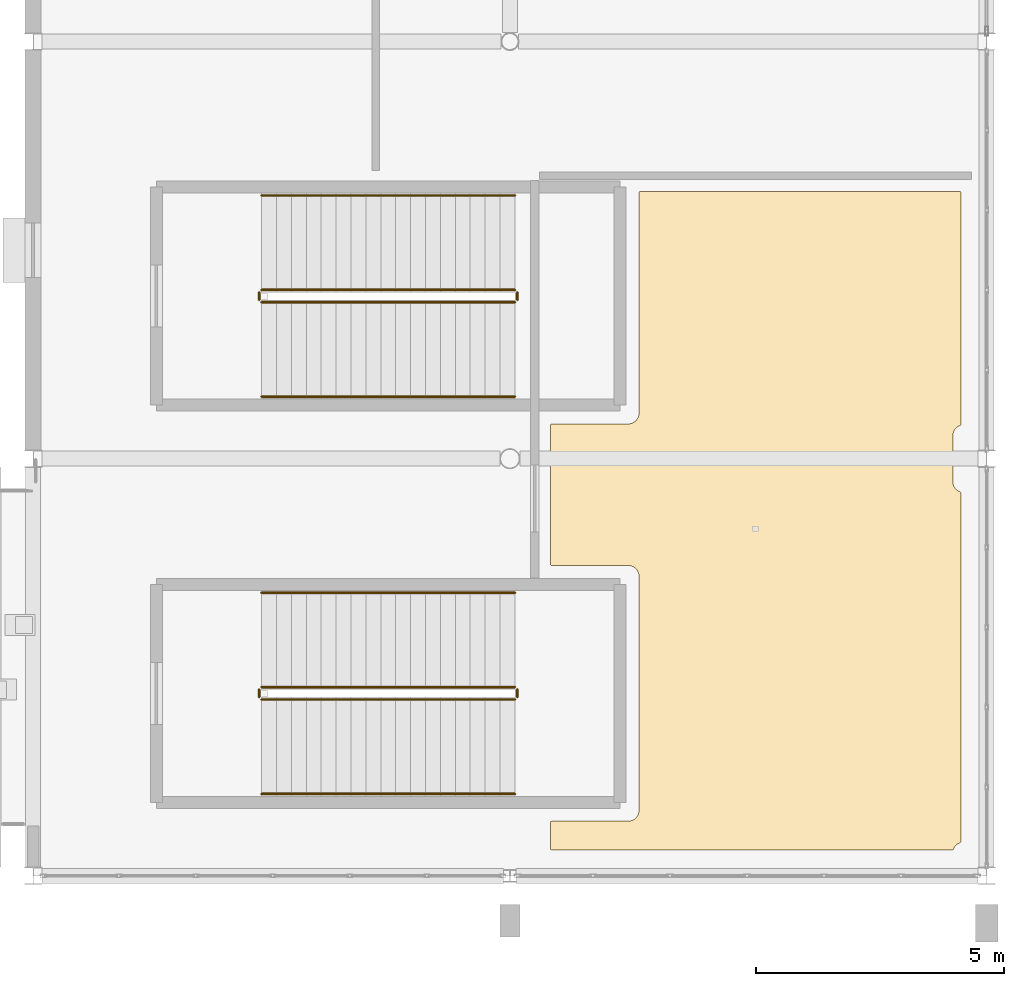
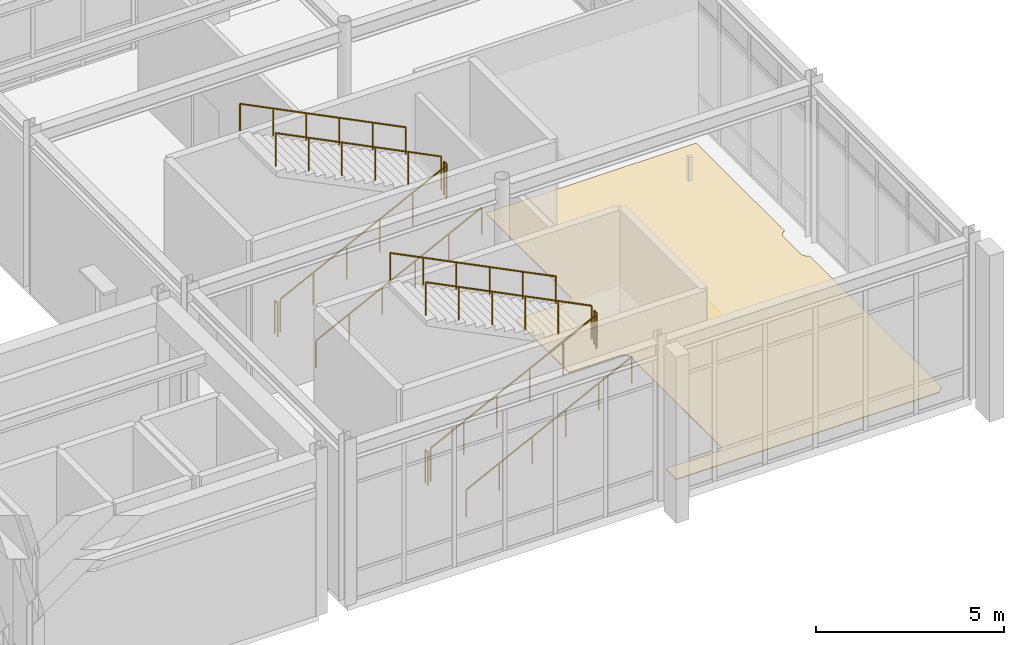
# One storey, part 75 of 80: 12 railings, 1 covering.
"""IFC4 building model written with IfcOpenShell, lengths in metres."""

from ifc_helpers import new_model, si_unit, direction, frame, origin, origin_2d, place, context, subcontext, project, spatial, polyline, circle, outline, extrude, material, layer, layer_set, type_object, element, save


model = new_model("IFC4")

# Units and contexts
model_context = context("Model", 3, precision=1e-05, world=origin(), true_north=direction((0.0, 1.0)))
body_context = subcontext(model_context, "Body", "Model", "MODEL_VIEW")
ifc_project = project(units=[si_unit("LENGTHUNIT", "METRE"), si_unit("AREAUNIT", "SQUARE_METRE"), si_unit("VOLUMEUNIT", "CUBIC_METRE"), si_unit("PLANEANGLEUNIT", "RADIAN"), si_unit("MASSUNIT", "GRAM", prefix="KILO")], contexts=[model_context])

# Site, building, storey
site_placement = place(None, origin())
site = spatial("IfcSite", under=ifc_project, at=site_placement, CompositionType="ELEMENT")
building_placement = place(site_placement, origin())
building = spatial("IfcBuilding", under=site, at=building_placement, Name="Canglan Escarpment Cableway Terminal", CompositionType="ELEMENT")
storey_placement = place(building_placement, frame((0.0, 0.0, 19.199951171875)))
storey = spatial("IfcBuildingStorey", under=building, at=storey_placement, Name="L04", CompositionType="ELEMENT", Elevation=19.199951171875)

# Covering
ifc_material_1 = material(Name="Polished mineral terrazzo flooring", Category="concrete")
ifc_layer = layer(ifc_material_1, 0.02001953125, Name="Polished mineral terrazzo flooring")
ifc_layer_set = layer_set([ifc_layer], Name="Polished mineral terrazzo flooring")
covering_type = type_object("IfcCoveringType", Name="COV-FLR-TERRAZZO-20", PredefinedType="FLOORING", material=ifc_layer_set)
covering_placement = place(storey_placement, origin())
element("IfcCovering", 1, at=covering_placement, inside=storey, type_object=covering_type, Name="Commercial Kitchen stone floor finish", PredefinedType="FLOORING", context=body_context, shape_type="SweptSolid", body=[
    extrude(outline(polyline([(165.73291015625, 8.533203125), (165.732177734375, 8.531494140625), (165.731201171875, 8.529541015625), (165.72998046875, 8.52783203125), (165.728515625, 8.5263671875), (165.72705078125, 8.52490234375), (165.7255859375, 8.523681640625), (165.723876953125, 8.522705078125), (165.721923828125, 8.521728515625), (165.719970703125, 8.52099609375), (165.718017578125, 8.5205078125), (165.716064453125, 8.52001953125), (165.714111328125, 8.52001953125), (157.639892578125, 8.52001953125), (157.637939453125, 8.52001953125), (157.635986328125, 8.5205078125), (157.63427734375, 8.52099609375), (157.63232421875, 8.521484375), (157.630615234375, 8.5224609375), (157.62890625, 8.5234375), (157.627197265625, 8.5244140625), (157.6259765625, 8.52587890625), (157.62451171875, 8.52734375), (157.623291015625, 8.52880859375), (157.622314453125, 8.530517578125), (157.62158203125, 8.5322265625), (157.620849609375, 8.5341796875), (157.620361328125, 8.5361328125), (157.6201171875, 8.5380859375), (157.6201171875, 8.5400390625), (157.6201171875, 9.080078125), (157.6201171875, 9.08203125), (157.620361328125, 9.083984375), (157.620849609375, 9.085693359375), (157.62158203125, 9.087646484375), (157.622314453125, 9.08935546875), (157.623291015625, 9.091064453125), (157.62451171875, 9.0927734375), (157.6259765625, 9.093994140625), (157.627197265625, 9.095458984375), (157.62890625, 9.0966796875), (157.630615234375, 9.09765625), (157.63232421875, 9.098388671875), (157.63427734375, 9.09912109375), (157.635986328125, 9.099609375), (157.637939453125, 9.099853515625), (157.639892578125, 9.10009765625), (159.1796875, 9.10009765625), (159.18017578125, 9.10009765625), (159.201171875, 9.10107421875), (159.201904296875, 9.10107421875), (159.222412109375, 9.104248046875), (159.223388671875, 9.104248046875), (159.243408203125, 9.109375), (159.244384765625, 9.109619140625), (159.263671875, 9.11669921875), (159.2646484375, 9.116943359375), (159.283203125, 9.125732421875), (159.2841796875, 9.126220703125), (159.3017578125, 9.13671875), (159.302490234375, 9.137451171875), (159.319091796875, 9.149658203125), (159.31982421875, 9.150390625), (159.335205078125, 9.1640625), (159.3359375, 9.164794921875), (159.349609375, 9.18017578125), (159.350341796875, 9.180908203125), (159.362548828125, 9.197509765625), (159.36328125, 9.1982421875), (159.373779296875, 9.2158203125), (159.374267578125, 9.216796875), (159.383056640625, 9.2353515625), (159.38330078125, 9.236328125), (159.390380859375, 9.255615234375), (159.390625, 9.256591796875), (159.395751953125, 9.276611328125), (159.395751953125, 9.277587890625), (159.39892578125, 9.298095703125), (159.39892578125, 9.298828125), (159.39990234375, 9.31982421875), (159.39990234375, 9.3203125), (159.39990234375, 14.02978515625), (159.39990234375, 14.0302734375), (159.39892578125, 14.051025390625), (159.39892578125, 14.052001953125), (159.395751953125, 14.072509765625), (159.395751953125, 14.073486328125), (159.390625, 14.093505859375), (159.390380859375, 14.09423828125), (159.38330078125, 14.11376953125), (159.383056640625, 14.114501953125), (159.374267578125, 14.13330078125), (159.373779296875, 14.134033203125), (159.36328125, 14.15185546875), (159.362548828125, 14.152587890625), (159.350341796875, 14.169189453125), (159.349609375, 14.169921875), (159.3359375, 14.185302734375), (159.335205078125, 14.185791015625), (159.31982421875, 14.19970703125), (159.319091796875, 14.200439453125), (159.302490234375, 14.212646484375), (159.3017578125, 14.213134765625), (159.2841796875, 14.223876953125), (159.283203125, 14.22412109375), (159.2646484375, 14.23291015625), (159.263671875, 14.2333984375), (159.244384765625, 14.240478515625), (159.243408203125, 14.240478515625), (159.223388671875, 14.24560546875), (159.222412109375, 14.245849609375), (159.201904296875, 14.248779296875), (159.201171875, 14.2490234375), (159.18017578125, 14.25), (159.1796875, 14.25), (157.639892578125, 14.25), (157.637939453125, 14.25), (157.635986328125, 14.25048828125), (157.63427734375, 14.2509765625), (157.63232421875, 14.25146484375), (157.630615234375, 14.25244140625), (157.62890625, 14.25341796875), (157.627197265625, 14.25439453125), (157.6259765625, 14.255859375), (157.62451171875, 14.25732421875), (157.623291015625, 14.2587890625), (157.622314453125, 14.260498046875), (157.62158203125, 14.26220703125), (157.620849609375, 14.26416015625), (157.620361328125, 14.26611328125), (157.6201171875, 14.26806640625), (157.6201171875, 14.27001953125), (157.6201171875, 17.080078125), (157.6201171875, 17.08203125), (157.620361328125, 17.083984375), (157.620849609375, 17.085693359375), (157.62158203125, 17.087646484375), (157.622314453125, 17.08935546875), (157.623291015625, 17.091064453125), (157.62451171875, 17.0927734375), (157.6259765625, 17.093994140625), (157.627197265625, 17.095458984375), (157.62890625, 17.0966796875), (157.630615234375, 17.09765625), (157.63232421875, 17.098388671875), (157.63427734375, 17.09912109375), (157.635986328125, 17.099609375), (157.637939453125, 17.099853515625), (157.639892578125, 17.10009765625), (159.1796875, 17.10009765625), (159.18017578125, 17.10009765625), (159.201171875, 17.10107421875), (159.201904296875, 17.10107421875), (159.222412109375, 17.104248046875), (159.223388671875, 17.104248046875), (159.243408203125, 17.109375), (159.244384765625, 17.109619140625), (159.263671875, 17.11669921875), (159.2646484375, 17.116943359375), (159.283203125, 17.125732421875), (159.2841796875, 17.126220703125), (159.3017578125, 17.13671875), (159.302490234375, 17.137451171875), (159.319091796875, 17.149658203125), (159.31982421875, 17.150390625), (159.335205078125, 17.1640625), (159.3359375, 17.164794921875), (159.349609375, 17.18017578125), (159.350341796875, 17.180908203125), (159.362548828125, 17.197509765625), (159.36328125, 17.1982421875), (159.373779296875, 17.2158203125), (159.374267578125, 17.216796875), (159.383056640625, 17.2353515625), (159.38330078125, 17.236328125), (159.390380859375, 17.255615234375), (159.390625, 17.256591796875), (159.395751953125, 17.276611328125), (159.395751953125, 17.277587890625), (159.39892578125, 17.298095703125), (159.39892578125, 17.298828125), (159.39990234375, 17.31982421875), (159.39990234375, 17.3203125), (159.39990234375, 21.760009765625), (159.400146484375, 21.761962890625), (159.400390625, 21.763916015625), (159.40087890625, 21.765869140625), (159.401611328125, 21.767578125), (159.40234375, 21.769287109375), (159.4033203125, 21.77099609375), (159.404541015625, 21.772705078125), (159.406005859375, 21.774169921875), (159.4072265625, 21.775390625), (159.408935546875, 21.776611328125), (159.41064453125, 21.777587890625), (159.412353515625, 21.778564453125), (159.414306640625, 21.779052734375), (159.416015625, 21.779541015625), (159.41796875, 21.77978515625), (159.419921875, 21.780029296875), (165.860107421875, 21.780029296875), (165.862060546875, 21.77978515625), (165.864013671875, 21.779541015625), (165.86572265625, 21.779052734375), (165.86767578125, 21.778564453125), (165.869384765625, 21.777587890625), (165.87109375, 21.776611328125), (165.872802734375, 21.775390625), (165.8740234375, 21.774169921875), (165.87548828125, 21.772705078125), (165.876708984375, 21.77099609375), (165.877685546875, 21.769287109375), (165.87841796875, 21.767578125), (165.879150390625, 21.765869140625), (165.879638671875, 21.763916015625), (165.8798828125, 21.761962890625), (165.8798828125, 21.760009765625), (165.8798828125, 17.0859375), (165.8798828125, 17.083984375), (165.879638671875, 17.082275390625), (165.879150390625, 17.080322265625), (165.878662109375, 17.07861328125), (165.877685546875, 17.076904296875), (165.876953125, 17.0751953125), (165.875732421875, 17.07373046875), (165.87451171875, 17.072265625), (165.873291015625, 17.071044921875), (165.87158203125, 17.06982421875), (165.8701171875, 17.06884765625), (165.868408203125, 17.06787109375), (165.86669921875, 17.067138671875), (165.856201171875, 17.0634765625), (165.85546875, 17.06298828125), (165.836669921875, 17.05419921875), (165.8359375, 17.0537109375), (165.818115234375, 17.043212890625), (165.8173828125, 17.04248046875), (165.80078125, 17.030517578125), (165.800048828125, 17.02978515625), (165.784912109375, 17.015869140625), (165.7841796875, 17.01513671875), (165.770263671875, 17.0), (165.76953125, 16.999267578125), (165.75732421875, 16.982666015625), (165.7568359375, 16.981689453125), (165.74609375, 16.964111328125), (165.745849609375, 16.96337890625), (165.737060546875, 16.944580078125), (165.736572265625, 16.943603515625), (165.7294921875, 16.92431640625), (165.7294921875, 16.92333984375), (165.724365234375, 16.9033203125), (165.72412109375, 16.90234375), (165.72119140625, 16.882080078125), (165.720947265625, 16.881103515625), (165.719970703125, 16.860107421875), (165.719970703125, 16.85986328125), (165.719970703125, 15.940185546875), (165.719970703125, 15.939697265625), (165.720947265625, 15.9189453125), (165.72119140625, 15.91796875), (165.72412109375, 15.897705078125), (165.724365234375, 15.896484375), (165.7294921875, 15.876708984375), (165.7294921875, 15.875732421875), (165.736572265625, 15.856201171875), (165.737060546875, 15.85546875), (165.745849609375, 15.836669921875), (165.74609375, 15.8359375), (165.7568359375, 15.818115234375), (165.75732421875, 15.8173828125), (165.76953125, 15.80078125), (165.770263671875, 15.800048828125), (165.7841796875, 15.784912109375), (165.784912109375, 15.7841796875), (165.800048828125, 15.770263671875), (165.80078125, 15.76953125), (165.8173828125, 15.75732421875), (165.818115234375, 15.7568359375), (165.8359375, 15.74609375), (165.836669921875, 15.745849609375), (165.85546875, 15.737060546875), (165.856201171875, 15.736572265625), (165.86669921875, 15.73291015625), (165.868408203125, 15.732177734375), (165.8701171875, 15.731201171875), (165.87158203125, 15.730224609375), (165.873291015625, 15.72900390625), (165.87451171875, 15.727783203125), (165.875732421875, 15.726318359375), (165.876953125, 15.724609375), (165.877685546875, 15.72314453125), (165.878662109375, 15.721435546875), (165.879150390625, 15.719482421875), (165.879638671875, 15.7177734375), (165.8798828125, 15.7158203125), (165.8798828125, 15.714111328125), (165.8798828125, 8.68603515625), (165.8798828125, 8.68408203125), (165.879638671875, 8.68212890625), (165.879150390625, 8.680419921875), (165.878662109375, 8.6787109375), (165.877685546875, 8.677001953125), (165.876953125, 8.67529296875), (165.875732421875, 8.673583984375), (165.87451171875, 8.67236328125), (165.873291015625, 8.6708984375), (165.87158203125, 8.669921875), (165.8701171875, 8.668701171875), (165.868408203125, 8.66796875), (165.86669921875, 8.667236328125), (165.856201171875, 8.663330078125), (165.85546875, 8.6630859375), (165.836669921875, 8.654296875), (165.8359375, 8.65380859375), (165.818115234375, 8.643310546875), (165.8173828125, 8.642578125), (165.80078125, 8.63037109375), (165.800048828125, 8.629638671875), (165.784912109375, 8.615966796875), (165.7841796875, 8.615234375), (165.770263671875, 8.599853515625), (165.76953125, 8.59912109375), (165.75732421875, 8.58251953125), (165.7568359375, 8.581787109375), (165.74609375, 8.564208984375), (165.745849609375, 8.563232421875), (165.737060546875, 8.544677734375), (165.736572265625, 8.543701171875), (165.73291015625, 8.533203125)])), origin(), (0.0, 0.0, 1.0), 0.02001953125),
])

# Railings
ifc_material_2 = material(Name="Powder-coated steel stair balustrade", Category="steel")
railing_type_1 = type_object("IfcRailingType", Name="RL-STR-GUARD-1100", PredefinedType="BALUSTRADE", material=ifc_material_2)
railing_1_placement = place(storey_placement, frame((151.800048828125, 11.550048828125, 0.150146484375)))
element("IfcRailing", 2, at=railing_1_placement, inside=storey, type_object=railing_type_1, Name="L04 ST-08 stair guard 1", PredefinedType="BALUSTRADE", context=body_context, shape_type="SweptSolid", body=[
    extrude(circle(Radius=0.02392578125, at=origin_2d()), frame((0.0, 0.0, 1.076171875), z_axis=(0.894435754537, 0.0, 0.447196468016), x_axis=(0.0, 1.0, 0.0)), (0.0, 0.0, 1.0), 5.70166015625),
    extrude(circle(Radius=0.02099609375, at=origin_2d()), origin(), (0.0, 0.0, 1.0), 1.052001953125),
    extrude(circle(Radius=0.02099609375, at=origin_2d()), frame((1.02001953125, 0.0, 0.510009765625)), (0.0, 0.0, 1.0), 1.052001953125),
    extrude(circle(Radius=0.02099609375, at=origin_2d()), frame((2.0400390625, 0.0, 1.02001953125)), (0.0, 0.0, 1.0), 1.052001953125),
    extrude(circle(Radius=0.02099609375, at=origin_2d()), frame((3.059814453125, 0.0, 1.52978515625)), (0.0, 0.0, 1.0), 1.052001953125),
    extrude(circle(Radius=0.02099609375, at=origin_2d()), frame((4.079833984375, 0.0, 2.039794921875)), (0.0, 0.0, 1.0), 1.052001953125),
    extrude(circle(Radius=0.02099609375, at=origin_2d()), frame((5.099853515625, 0.0, 2.5498046875)), (0.0, 0.0, 1.0), 1.052001953125),
])
railing_2_placement = place(storey_placement, frame((156.949951171875, 11.60009765625, 2.699951171875)))
element("IfcRailing", 3, at=railing_2_placement, inside=storey, type_object=railing_type_1, Name="L04 ST-08 stair guard 2", PredefinedType="BALUSTRADE", context=body_context, shape_type="SweptSolid", body=[
    extrude(circle(Radius=0.02392578125, at=origin_2d()), frame((0.0, 0.0, 1.076171875), z_axis=(0.0, 1.0, 0.0), x_axis=(-1.0, 0.0, 0.0)), (0.0, 0.0, 1.0), 0.14990234375),
    extrude(circle(Radius=0.02099609375, at=origin_2d()), origin(), (0.0, 0.0, 1.0), 1.052001953125),
    extrude(circle(Radius=0.02099609375, at=origin_2d()), frame((0.0, 0.14990234375, 0.0)), (0.0, 0.0, 1.0), 1.052001953125),
])
railing_3_placement = place(storey_placement, frame((156.89990234375, 11.800048828125, 2.85009765625)))
element("IfcRailing", 4, at=railing_3_placement, inside=storey, type_object=railing_type_1, Name="L04 ST-08 stair guard 3", PredefinedType="BALUSTRADE", context=body_context, shape_type="SweptSolid", body=[
    extrude(circle(Radius=0.02392578125, at=origin_2d()), frame((0.0, 0.0, 1.076171875), z_axis=(-0.894418627299, 0.0, 0.447230722492), x_axis=(0.0, -1.0, 0.0)), (0.0, 0.0, 1.0), 5.701904296875),
    extrude(circle(Radius=0.02099609375, at=origin_2d()), origin(), (0.0, 0.0, 1.0), 1.052001953125),
    extrude(circle(Radius=0.02099609375, at=origin_2d()), frame((-1.02001953125, 0.0, 0.510009765625)), (0.0, 0.0, 1.0), 1.052001953125),
    extrude(circle(Radius=0.02099609375, at=origin_2d()), frame((-2.0400390625, 0.0, 1.02001953125)), (0.0, 0.0, 1.0), 1.052001953125),
    extrude(circle(Radius=0.02099609375, at=origin_2d()), frame((-3.059814453125, 0.0, 1.530029296875)), (0.0, 0.0, 1.0), 1.052001953125),
    extrude(circle(Radius=0.02099609375, at=origin_2d()), frame((-4.079833984375, 0.0, 2.0400390625)), (0.0, 0.0, 1.0), 1.052001953125),
    extrude(circle(Radius=0.02099609375, at=origin_2d()), frame((-5.099853515625, 0.0, 2.550048828125)), (0.0, 0.0, 1.0), 1.052001953125),
])
railing_4_placement = place(storey_placement, frame((151.75, 11.60009765625, 0.0)))
element("IfcRailing", 5, at=railing_4_placement, inside=storey, type_object=railing_type_1, Name="L04 ST-08 stair guard 4", PredefinedType="BALUSTRADE", context=body_context, shape_type="SweptSolid", body=[
    extrude(circle(Radius=0.02392578125, at=origin_2d()), frame((0.0, 0.0, 1.076171875), z_axis=(0.0, 1.0, 0.0), x_axis=(-1.0, 0.0, 0.0)), (0.0, 0.0, 1.0), 0.14990234375),
    extrude(circle(Radius=0.02099609375, at=origin_2d()), origin(), (0.0, 0.0, 1.0), 1.052001953125),
    extrude(circle(Radius=0.02099609375, at=origin_2d()), frame((0.0, 0.14990234375, 0.0)), (0.0, 0.0, 1.0), 1.052001953125),
])
railing_5_placement = place(storey_placement, frame((151.800048828125, 19.550048828125, 0.150146484375)))
element("IfcRailing", 6, at=railing_5_placement, inside=storey, type_object=railing_type_1, Name="L04 ST-09 stair guard 1", PredefinedType="BALUSTRADE", context=body_context, shape_type="SweptSolid", body=[
    extrude(circle(Radius=0.02392578125, at=origin_2d()), frame((0.0, 0.0, 1.076171875), z_axis=(0.894435754537, 0.0, 0.447196468016), x_axis=(0.0, 1.0, 0.0)), (0.0, 0.0, 1.0), 5.70166015625),
    extrude(circle(Radius=0.02099609375, at=origin_2d()), origin(), (0.0, 0.0, 1.0), 1.052001953125),
    extrude(circle(Radius=0.02099609375, at=origin_2d()), frame((1.02001953125, 0.0, 0.510009765625)), (0.0, 0.0, 1.0), 1.052001953125),
    extrude(circle(Radius=0.02099609375, at=origin_2d()), frame((2.0400390625, 0.0, 1.02001953125)), (0.0, 0.0, 1.0), 1.052001953125),
    extrude(circle(Radius=0.02099609375, at=origin_2d()), frame((3.059814453125, 0.0, 1.52978515625)), (0.0, 0.0, 1.0), 1.052001953125),
    extrude(circle(Radius=0.02099609375, at=origin_2d()), frame((4.079833984375, 0.0, 2.039794921875)), (0.0, 0.0, 1.0), 1.052001953125),
    extrude(circle(Radius=0.02099609375, at=origin_2d()), frame((5.099853515625, 0.0, 2.5498046875)), (0.0, 0.0, 1.0), 1.052001953125),
])
railing_6_placement = place(storey_placement, frame((156.949951171875, 19.60009765625, 2.699951171875)))
element("IfcRailing", 7, at=railing_6_placement, inside=storey, type_object=railing_type_1, Name="L04 ST-09 stair guard 2", PredefinedType="BALUSTRADE", context=body_context, shape_type="SweptSolid", body=[
    extrude(circle(Radius=0.02392578125, at=origin_2d()), frame((0.0, 0.0, 1.076171875), z_axis=(0.0, 1.0, 0.0), x_axis=(-1.0, 0.0, 0.0)), (0.0, 0.0, 1.0), 0.14990234375),
    extrude(circle(Radius=0.02099609375, at=origin_2d()), origin(), (0.0, 0.0, 1.0), 1.052001953125),
    extrude(circle(Radius=0.02099609375, at=origin_2d()), frame((0.0, 0.14990234375, 0.0)), (0.0, 0.0, 1.0), 1.052001953125),
])
railing_7_placement = place(storey_placement, frame((156.89990234375, 19.800048828125, 2.85009765625)))
element("IfcRailing", 8, at=railing_7_placement, inside=storey, type_object=railing_type_1, Name="L04 ST-09 stair guard 3", PredefinedType="BALUSTRADE", context=body_context, shape_type="SweptSolid", body=[
    extrude(circle(Radius=0.02392578125, at=origin_2d()), frame((0.0, 0.0, 1.076171875), z_axis=(-0.894418627299, 0.0, 0.447230722492), x_axis=(0.0, -1.0, 0.0)), (0.0, 0.0, 1.0), 5.701904296875),
    extrude(circle(Radius=0.02099609375, at=origin_2d()), origin(), (0.0, 0.0, 1.0), 1.052001953125),
    extrude(circle(Radius=0.02099609375, at=origin_2d()), frame((-1.02001953125, 0.0, 0.510009765625)), (0.0, 0.0, 1.0), 1.052001953125),
    extrude(circle(Radius=0.02099609375, at=origin_2d()), frame((-2.0400390625, 0.0, 1.02001953125)), (0.0, 0.0, 1.0), 1.052001953125),
    extrude(circle(Radius=0.02099609375, at=origin_2d()), frame((-3.059814453125, 0.0, 1.530029296875)), (0.0, 0.0, 1.0), 1.052001953125),
    extrude(circle(Radius=0.02099609375, at=origin_2d()), frame((-4.079833984375, 0.0, 2.0400390625)), (0.0, 0.0, 1.0), 1.052001953125),
    extrude(circle(Radius=0.02099609375, at=origin_2d()), frame((-5.099853515625, 0.0, 2.550048828125)), (0.0, 0.0, 1.0), 1.052001953125),
])
railing_8_placement = place(storey_placement, frame((151.75, 19.60009765625, 0.0)))
element("IfcRailing", 9, at=railing_8_placement, inside=storey, type_object=railing_type_1, Name="L04 ST-09 stair guard 4", PredefinedType="BALUSTRADE", context=body_context, shape_type="SweptSolid", body=[
    extrude(circle(Radius=0.02392578125, at=origin_2d()), frame((0.0, 0.0, 1.076171875), z_axis=(0.0, 1.0, 0.0), x_axis=(-1.0, 0.0, 0.0)), (0.0, 0.0, 1.0), 0.14990234375),
    extrude(circle(Radius=0.02099609375, at=origin_2d()), origin(), (0.0, 0.0, 1.0), 1.052001953125),
    extrude(circle(Radius=0.02099609375, at=origin_2d()), frame((0.0, 0.14990234375, 0.0)), (0.0, 0.0, 1.0), 1.052001953125),
])
ifc_material_3 = material(Name="Brushed stainless steel 304 handrail", Category="steel")
railing_type_2 = type_object("IfcRailingType", Name="RL-STR-HR-900", PredefinedType="HANDRAIL", material=ifc_material_3)
railing_9_placement = place(storey_placement, frame((151.800048828125, 9.64990234375, 0.150146484375)))
element("IfcRailing", 10, at=railing_9_placement, inside=storey, type_object=railing_type_2, Name="L04 ST-08 stair handrail 1", PredefinedType="HANDRAIL", context=body_context, shape_type="SweptSolid", body=[
    extrude(circle(Radius=0.02392578125, at=origin_2d()), frame((0.0, 0.0, 0.8759765625), z_axis=(0.894435754537, 0.0, 0.447196468016), x_axis=(0.0, 1.0, 0.0)), (0.0, 0.0, 1.0), 5.70166015625),
    extrude(circle(Radius=0.02099609375, at=origin_2d()), origin(), (0.0, 0.0, 1.0), 0.851806640625),
    extrude(circle(Radius=0.02099609375, at=origin_2d()), frame((1.02001953125, 0.0, 0.510009765625)), (0.0, 0.0, 1.0), 0.851806640625),
    extrude(circle(Radius=0.02099609375, at=origin_2d()), frame((2.0400390625, 0.0, 1.02001953125)), (0.0, 0.0, 1.0), 0.851806640625),
    extrude(circle(Radius=0.02099609375, at=origin_2d()), frame((3.059814453125, 0.0, 1.52978515625)), (0.0, 0.0, 1.0), 0.851806640625),
    extrude(circle(Radius=0.02099609375, at=origin_2d()), frame((4.079833984375, 0.0, 2.039794921875)), (0.0, 0.0, 1.0), 0.851806640625),
    extrude(circle(Radius=0.02099609375, at=origin_2d()), frame((5.099853515625, 0.0, 2.5498046875)), (0.0, 0.0, 1.0), 0.851806640625),
])
railing_10_placement = place(storey_placement, frame((156.89990234375, 13.699951171875, 2.85009765625)))
element("IfcRailing", 11, at=railing_10_placement, inside=storey, type_object=railing_type_2, Name="L04 ST-08 stair handrail 2", PredefinedType="HANDRAIL", context=body_context, shape_type="SweptSolid", body=[
    extrude(circle(Radius=0.02392578125, at=origin_2d()), frame((0.0, 0.0, 0.8759765625), z_axis=(-0.894418627299, 0.0, 0.447230722492), x_axis=(0.0, -1.0, 0.0)), (0.0, 0.0, 1.0), 5.701904296875),
    extrude(circle(Radius=0.02099609375, at=origin_2d()), origin(), (0.0, 0.0, 1.0), 0.851806640625),
    extrude(circle(Radius=0.02099609375, at=origin_2d()), frame((-1.02001953125, 0.0, 0.510009765625)), (0.0, 0.0, 1.0), 0.851806640625),
    extrude(circle(Radius=0.02099609375, at=origin_2d()), frame((-2.0400390625, 0.0, 1.02001953125)), (0.0, 0.0, 1.0), 0.851806640625),
    extrude(circle(Radius=0.02099609375, at=origin_2d()), frame((-3.059814453125, 0.0, 1.530029296875)), (0.0, 0.0, 1.0), 0.851806640625),
    extrude(circle(Radius=0.02099609375, at=origin_2d()), frame((-4.079833984375, 0.0, 2.0400390625)), (0.0, 0.0, 1.0), 0.851806640625),
    extrude(circle(Radius=0.02099609375, at=origin_2d()), frame((-5.099853515625, 0.0, 2.550048828125)), (0.0, 0.0, 1.0), 0.851806640625),
])
railing_11_placement = place(storey_placement, frame((151.800048828125, 17.64990234375, 0.150146484375)))
element("IfcRailing", 12, at=railing_11_placement, inside=storey, type_object=railing_type_2, Name="L04 ST-09 stair handrail 1", PredefinedType="HANDRAIL", context=body_context, shape_type="SweptSolid", body=[
    extrude(circle(Radius=0.02392578125, at=origin_2d()), frame((0.0, 0.0, 0.8759765625), z_axis=(0.894435754537, 0.0, 0.447196468016), x_axis=(0.0, 1.0, 0.0)), (0.0, 0.0, 1.0), 5.70166015625),
    extrude(circle(Radius=0.02099609375, at=origin_2d()), origin(), (0.0, 0.0, 1.0), 0.851806640625),
    extrude(circle(Radius=0.02099609375, at=origin_2d()), frame((1.02001953125, 0.0, 0.510009765625)), (0.0, 0.0, 1.0), 0.851806640625),
    extrude(circle(Radius=0.02099609375, at=origin_2d()), frame((2.0400390625, 0.0, 1.02001953125)), (0.0, 0.0, 1.0), 0.851806640625),
    extrude(circle(Radius=0.02099609375, at=origin_2d()), frame((3.059814453125, 0.0, 1.52978515625)), (0.0, 0.0, 1.0), 0.851806640625),
    extrude(circle(Radius=0.02099609375, at=origin_2d()), frame((4.079833984375, 0.0, 2.039794921875)), (0.0, 0.0, 1.0), 0.851806640625),
    extrude(circle(Radius=0.02099609375, at=origin_2d()), frame((5.099853515625, 0.0, 2.5498046875)), (0.0, 0.0, 1.0), 0.851806640625),
])
railing_12_placement = place(storey_placement, frame((156.89990234375, 21.699951171875, 2.85009765625)))
element("IfcRailing", 13, at=railing_12_placement, inside=storey, type_object=railing_type_2, Name="L04 ST-09 stair handrail 2", PredefinedType="HANDRAIL", context=body_context, shape_type="SweptSolid", body=[
    extrude(circle(Radius=0.02392578125, at=origin_2d()), frame((0.0, 0.0, 0.8759765625), z_axis=(-0.894418627299, 0.0, 0.447230722492), x_axis=(0.0, -1.0, 0.0)), (0.0, 0.0, 1.0), 5.701904296875),
    extrude(circle(Radius=0.02099609375, at=origin_2d()), origin(), (0.0, 0.0, 1.0), 0.851806640625),
    extrude(circle(Radius=0.02099609375, at=origin_2d()), frame((-1.02001953125, 0.0, 0.510009765625)), (0.0, 0.0, 1.0), 0.851806640625),
    extrude(circle(Radius=0.02099609375, at=origin_2d()), frame((-2.0400390625, 0.0, 1.02001953125)), (0.0, 0.0, 1.0), 0.851806640625),
    extrude(circle(Radius=0.02099609375, at=origin_2d()), frame((-3.059814453125, 0.0, 1.530029296875)), (0.0, 0.0, 1.0), 0.851806640625),
    extrude(circle(Radius=0.02099609375, at=origin_2d()), frame((-4.079833984375, 0.0, 2.0400390625)), (0.0, 0.0, 1.0), 0.851806640625),
    extrude(circle(Radius=0.02099609375, at=origin_2d()), frame((-5.099853515625, 0.0, 2.550048828125)), (0.0, 0.0, 1.0), 0.851806640625),
])

save(model, "model.ifc")
